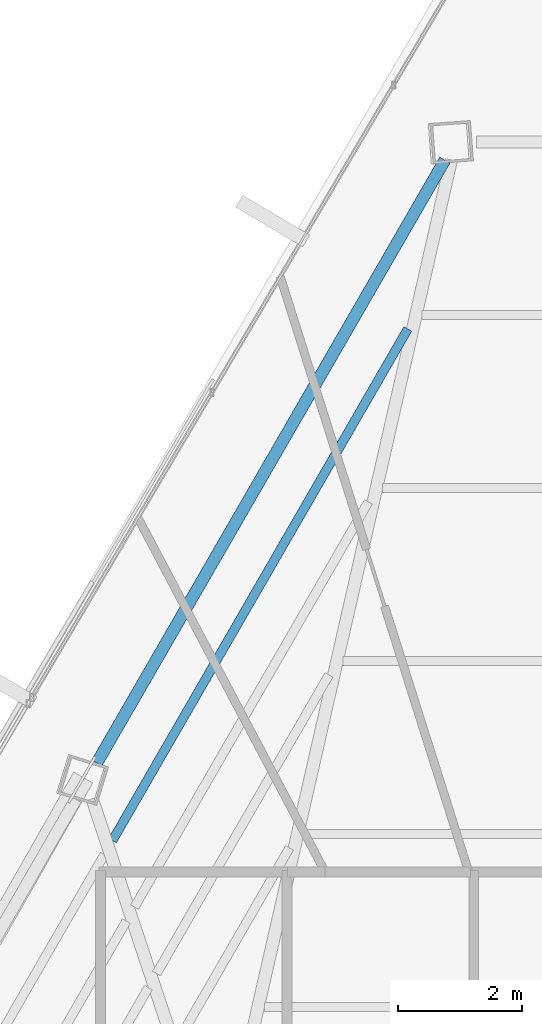
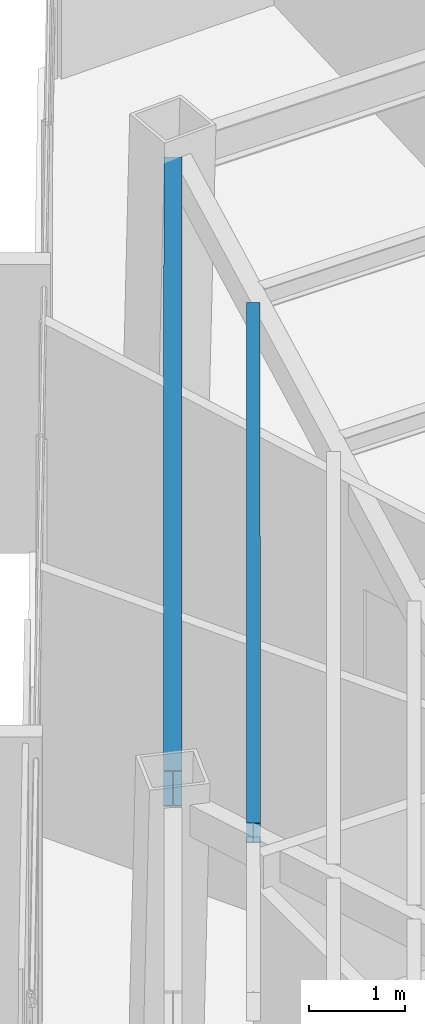
# One storey, part 31 of 44: 2 beams.
"""IFC4 building model written with IfcOpenShell, lengths in metres."""

from ifc_helpers import new_model, si_unit, direction, frame, origin, origin_2d, place, context, subcontext, project, spatial, i_section, extrude, source, transform, mapped, material, material_profile, profile_set, type_object, type_shapes, element, save


model = new_model("IFC4")

# Units and contexts
model_context = context("Model", 3, precision=1e-05, world=origin(), true_north=direction((0.0, 1.0)))
body_context = subcontext(model_context, "Body", "Model", "MODEL_VIEW")
ifc_project = project(units=[si_unit("LENGTHUNIT", "METRE"), si_unit("AREAUNIT", "SQUARE_METRE"), si_unit("VOLUMEUNIT", "CUBIC_METRE"), si_unit("PLANEANGLEUNIT", "RADIAN"), si_unit("MASSUNIT", "GRAM", prefix="KILO")], contexts=[model_context])

# Site, building, storey
site_placement = place(None, origin())
site = spatial("IfcSite", under=ifc_project, at=site_placement, CompositionType="ELEMENT")
building_placement = place(site_placement, origin())
building = spatial("IfcBuilding", under=site, at=building_placement, Name="Caelisora Broadcast Tower", CompositionType="ELEMENT")
storey_placement = place(building_placement, frame((0.0, 0.0, 259.050048828125)))
storey = spatial("IfcBuildingStorey", under=building, at=storey_placement, Name="L68", CompositionType="ELEMENT", Elevation=259.050048828125)

# Beams
ifc_material = material(Name="Steel Grade 350 (AS/NZS 3679.1)", Category="steel")
ifc_material_profile_1 = material_profile(ifc_material, i_section(OverallWidth=0.19091796875, OverallDepth=0.46044921875, WebThickness=0.010009765625, FlangeThickness=0.01611328125, at=origin_2d()), Name="Steel Grade 350 (AS/NZS 3679.1)")
ifc_profile_set_1 = profile_set([ifc_material_profile_1], Name="Steel Grade 350 (AS/NZS 3679.1)")
beam_type_1 = type_object("IfcBeamType", Name="PG06", PredefinedType="BEAM", material=ifc_profile_set_1)
shared_shape_1 = source(origin(), body_context, "Body", "SweptSolid", [
    extrude(i_section(OverallWidth=0.19091796875, OverallDepth=0.46044921875, WebThickness=0.010009765625, FlangeThickness=0.01611328125, at=origin_2d()), origin(), (0.0, 0.0, 1.0), 11.18994140625),
])
type_shapes(beam_type_1, [shared_shape_1])
beam_1_placement = place(storey_placement, frame((34.135498046875, 46.39306640625, 3.169677734375), z_axis=(-0.500003857942, -0.866023176389, 0.0), x_axis=(0.866023176389, -0.500003857942, 0.0)))
element("IfcBeam", 1, at=beam_1_placement, inside=storey, type_object=beam_type_1, Name="L68 beam PG06", PredefinedType="BEAM", context=body_context, shape_type="MappedRepresentation", body=[
    mapped(shared_shape_1, transform((0.0, 0.0, 0.0), scale=1.0)),
])
ifc_material_profile_2 = material_profile(ifc_material, i_section(OverallWidth=0.14599609375, OverallDepth=0.256103515625, WebThickness=0.00634765625, FlangeThickness=0.010986328125, at=origin_2d()), Name="Steel Grade 350 (AS/NZS 3679.1)")
ifc_profile_set_2 = profile_set([ifc_material_profile_2], Name="Steel Grade 350 (AS/NZS 3679.1)")
beam_type_2 = type_object("IfcBeamType", Name="SB04", PredefinedType="JOIST", material=ifc_profile_set_2)
shared_shape_2 = source(origin(), body_context, "Body", "SweptSolid", [
    extrude(i_section(OverallWidth=0.14599609375, OverallDepth=0.256103515625, WebThickness=0.00634765625, FlangeThickness=0.010986328125, at=origin_2d()), origin(), (0.0, 0.0, 1.0), 9.497314453125),
])
type_shapes(beam_type_2, [shared_shape_2])
beam_2_placement = place(storey_placement, frame((33.540283203125, 43.679443359375, 3.27197265625), z_axis=(-0.499993189948, -0.866029335534, 0.0), x_axis=(0.866029335534, -0.499993189948, 0.0)))
element("IfcBeam", 2, at=beam_2_placement, inside=storey, type_object=beam_type_2, Name="L68 beam SB04", PredefinedType="JOIST", context=body_context, shape_type="MappedRepresentation", body=[
    mapped(shared_shape_2, transform((0.0, 0.0, 0.0), scale=1.0)),
])

save(model, "model.ifc")
